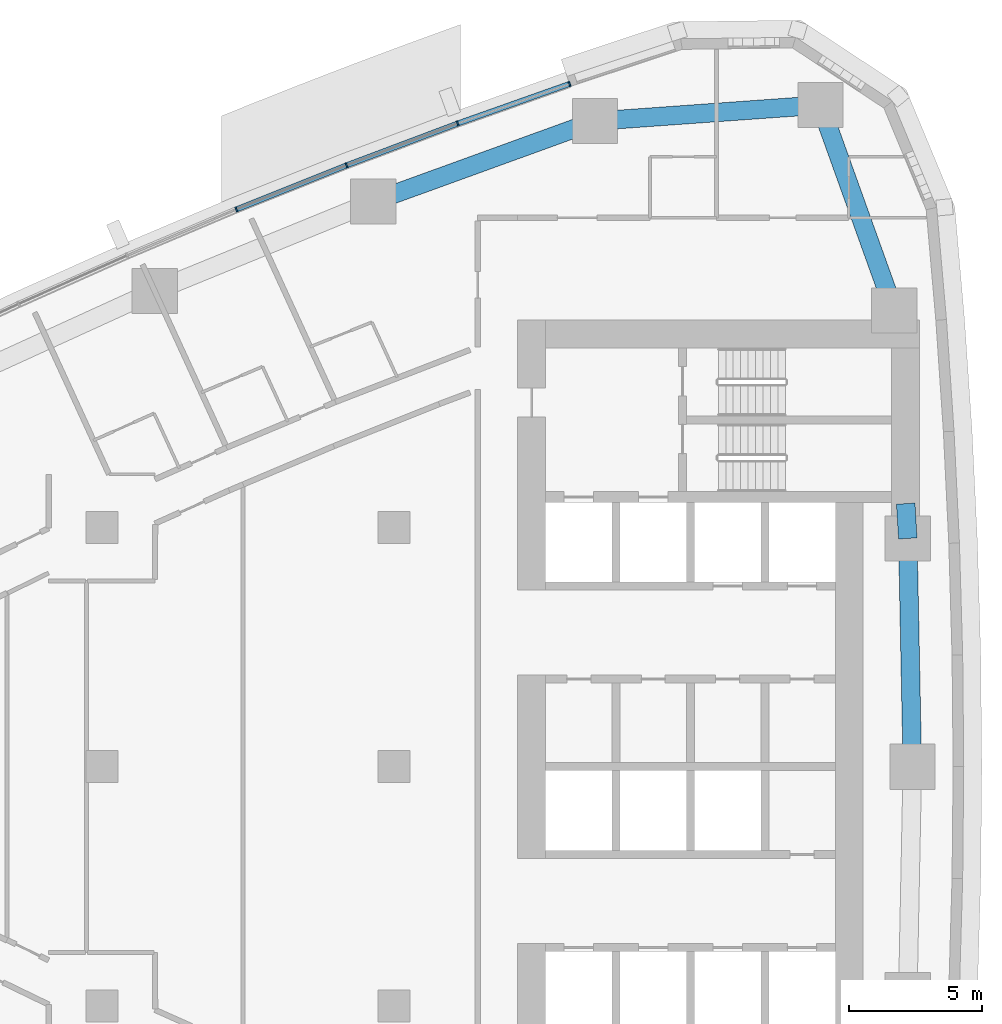
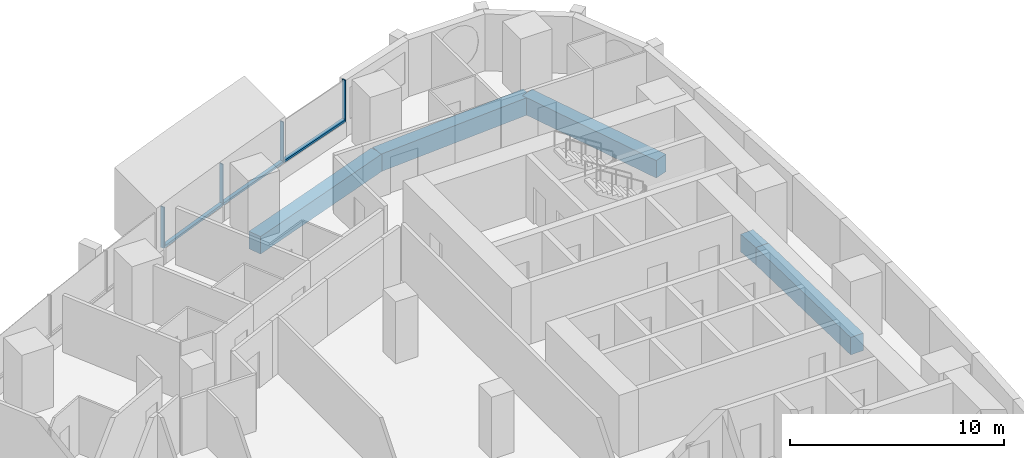
# One storey, part 6 of 17: 7 members, 5 beams, 2 elements without a shape of their own.
"""IFC4 building model written with IfcOpenShell, lengths in metres."""

from ifc_helpers import new_model, si_unit, direction, frame, origin, origin_2d, place, context, subcontext, project, spatial, rectangle, extrude, material, layer, layer_set, material_profile, profile_set, type_object, element, aggregate, save


model = new_model("IFC4")

# Units and contexts
model_context = context("Model", 3, precision=1e-05, world=origin(), true_north=direction((0.0, 1.0)))
body_context = subcontext(model_context, "Body", "Model", "MODEL_VIEW")
ifc_project = project(units=[si_unit("LENGTHUNIT", "METRE"), si_unit("AREAUNIT", "SQUARE_METRE"), si_unit("VOLUMEUNIT", "CUBIC_METRE"), si_unit("PLANEANGLEUNIT", "RADIAN"), si_unit("MASSUNIT", "GRAM", prefix="KILO")], contexts=[model_context])

# Site, building, storey
site_placement = place(None, origin())
site = spatial("IfcSite", under=ifc_project, at=site_placement, CompositionType="ELEMENT")
building_placement = place(site_placement, origin())
building = spatial("IfcBuilding", under=site, at=building_placement, Name="Ostrand Prow Hotel Tower", CompositionType="ELEMENT")
storey_placement = place(building_placement, frame((0.0, 0.0, 84.89990234375)))
storey = spatial("IfcBuildingStorey", under=building, at=storey_placement, Name="L19", CompositionType="ELEMENT", Elevation=84.89990234375)

# Beams
ifc_material_1 = material(Name="Concrete C80/95", Category="concrete")
ifc_material_profile_1 = material_profile(ifc_material_1, rectangle(XDim=0.699951171875, YDim=1.0, at=origin_2d()), Name="RC 700x1000")
ifc_profile_set_1 = profile_set([ifc_material_profile_1], Name="Concrete C80/95")
beam_type = type_object("IfcBeamType", Name="Edge beam 700x1000 C80/95", PredefinedType="SPANDREL", material=ifc_profile_set_1)
beam_1_placement = place(storey_placement, frame((64.5, 0.0, -0.7998046875), z_axis=(-0.019922705812, 0.9998015232, 0.0), x_axis=(-0.9998015232, -0.019922705812, 0.0)))
element("IfcBeam", 1, at=beam_1_placement, inside=storey, type_object=beam_type, Name="Edge beam B3-B4", PredefinedType="SPANDREL", context=body_context, shape_type="SweptSolid", body=[
    extrude(rectangle(XDim=0.699951171875, YDim=1.0, at=origin_2d()), origin(), (0.0, 0.0, 1.0), 8.59033203125),
])
beam_2_placement = place(storey_placement, frame((64.328857421875, 8.588623046875, -0.7998046875), z_axis=(-0.059658953766, 0.998218818314, 0.0), x_axis=(-0.998218818314, -0.059658953766, 0.0)))
element("IfcBeam", 2, at=beam_2_placement, inside=storey, type_object=beam_type, Name="Edge beam B4-B5", PredefinedType="SPANDREL", context=body_context, shape_type="SweptSolid", body=[
    extrude(rectangle(XDim=0.699951171875, YDim=1.0, at=origin_2d()), origin(), (0.0, 0.0, 1.0), 1.313720703125),
])
beam_3_placement = place(storey_placement, frame((63.815673828125, 17.16357421875, -0.7998046875), z_axis=(-0.337815484063, 0.941212355809, 0.0), x_axis=(-0.941212355809, -0.337815484063, 0.0)))
element("IfcBeam", 3, at=beam_3_placement, inside=storey, type_object=beam_type, Name="Edge beam B5-NE", PredefinedType="SPANDREL", context=body_context, shape_type="SweptSolid", body=[
    extrude(rectangle(XDim=0.699951171875, YDim=1.0, at=origin_2d()), origin(), (0.0, 0.0, 1.0), 8.21630859375),
])
beam_4_placement = place(storey_placement, frame((61.0400390625, 24.89697265625, -0.7998046875), z_axis=(-0.99747195063, -0.071061295414, 0.0), x_axis=(0.071061295414, -0.99747195063, 0.0)))
element("IfcBeam", 4, at=beam_4_placement, inside=storey, type_object=beam_type, Name="Edge beam NE-N1", PredefinedType="SPANDREL", context=body_context, shape_type="SweptSolid", body=[
    extrude(rectangle(XDim=0.699951171875, YDim=1.0, at=origin_2d()), origin(), (0.0, 0.0, 1.0), 8.499755859375),
])
beam_5_placement = place(storey_placement, frame((52.561767578125, 24.29296875, -0.7998046875), z_axis=(-0.940062739321, -0.341001533927, 0.0), x_axis=(0.341001533927, -0.940062739321, 0.0)))
element("IfcBeam", 5, at=beam_5_placement, inside=storey, type_object=beam_type, Name="Edge beam N1-N2", PredefinedType="SPANDREL", context=body_context, shape_type="SweptSolid", body=[
    extrude(rectangle(XDim=0.699951171875, YDim=1.0, at=origin_2d()), origin(), (0.0, 0.0, 1.0), 8.883544921875),
])

# Curtain wall, members
ifc_material_2 = material(Name="Insulated glass in bronze anodised frame", Category="glass")
ifc_layer = layer(ifc_material_2, 0.199951171875)
ifc_layer_set = layer_set([ifc_layer], Name="Insulated glass in bronze anodised frame")
curtain_wall_type = type_object("IfcCurtainWallType", Name="Strip curtain wall, fritted glass over bronze spandrel", PredefinedType="NOTDEFINED", material=ifc_layer_set)
curtain_wall_1_placement = place(storey_placement, origin())
curtain_wall_1 = element("IfcCurtainWall", 6, at=curtain_wall_1_placement, inside=storey, type_object=curtain_wall_type, Name="CW1 run CWN1", PredefinedType="NOTDEFINED")
ifc_material_3 = material(Name="Bronze anodised aluminium", Category="aluminium")
ifc_material_profile_2 = material_profile(ifc_material_3, rectangle(XDim=0.199951171875, YDim=0.06005859375, at=origin_2d()), Name="Mullion 60x200 bronze anodised aluminium")
ifc_profile_set_2 = profile_set([ifc_material_profile_2], Name="Bronze anodised aluminium")
member_type_1 = type_object("IfcMemberType", Name="Mullion 60x200 bronze anodised aluminium", PredefinedType="MULLION", material=ifc_profile_set_2)
member_1_placement = place(storey_placement, frame((51.601318359375, 25.692138671875, 0.900146484375), z_axis=(0.0, 0.0, 1.0), x_axis=(0.333495894542, -0.942751551748, 0.0)))
member_1 = element("IfcMember", 7, at=member_1_placement, type_object=member_type_1, Name="CW1 mullion 1", PredefinedType="MULLION", context=body_context, shape_type="SweptSolid", body=[
    extrude(rectangle(XDim=0.199951171875, YDim=0.06005859375, at=origin_2d()), origin(), (0.0, 0.0, 1.0), 2.349853515625),
])
member_2_placement = place(storey_placement, frame((47.390869140625, 24.202880859375, 0.900146484375), z_axis=(0.0, 0.0, 1.0), x_axis=(0.35230885193, -0.935883792387, 0.0)))
member_2 = element("IfcMember", 8, at=member_2_placement, type_object=member_type_1, Name="CW1 mullion 2", PredefinedType="MULLION", context=body_context, shape_type="SweptSolid", body=[
    extrude(rectangle(XDim=0.199951171875, YDim=0.06005859375, at=origin_2d()), origin(), (0.0, 0.0, 1.0), 2.349853515625),
])
member_3_placement = place(storey_placement, frame((43.211181640625, 22.62939453125, 0.900146484375), z_axis=(0.0, 0.0, 1.0), x_axis=(0.35230885193, -0.935883792387, 0.0)))
member_3 = element("IfcMember", 9, at=member_3_placement, type_object=member_type_1, Name="CW1 mullion 3", PredefinedType="MULLION", context=body_context, shape_type="SweptSolid", body=[
    extrude(rectangle(XDim=0.199951171875, YDim=0.06005859375, at=origin_2d()), origin(), (0.0, 0.0, 1.0), 2.349853515625),
])

# Curtain wall, member
curtain_wall_2_placement = place(storey_placement, origin())
curtain_wall_2 = element("IfcCurtainWall", 10, at=curtain_wall_2_placement, inside=storey, type_object=curtain_wall_type, Name="CW1 run CWN2", PredefinedType="NOTDEFINED")
member_4_placement = place(storey_placement, frame((39.06396484375, 20.97265625, 0.900146484375), z_axis=(0.0, 0.0, 1.0), x_axis=(0.389506566255, -0.921023688536, 0.0)))
member_4 = element("IfcMember", 11, at=member_4_placement, type_object=member_type_1, Name="CW1 mullion 2", PredefinedType="MULLION", context=body_context, shape_type="SweptSolid", body=[
    extrude(rectangle(XDim=0.199951171875, YDim=0.06005859375, at=origin_2d()), origin(), (0.0, 0.0, 1.0), 2.349853515625),
])

# Member
ifc_material_4 = material(Name="Bronze anodised aluminium", Category="aluminium")
ifc_material_profile_3 = material_profile(ifc_material_4, rectangle(XDim=0.199951171875, YDim=0.1201171875, at=origin_2d()), Name="Transom 120x200 bronze anodised aluminium")
ifc_profile_set_3 = profile_set([ifc_material_profile_3], Name="Bronze anodised aluminium")
member_type_2 = type_object("IfcMemberType", Name="Transom 120x200 bronze anodised aluminium", PredefinedType="USERDEFINED", material=ifc_profile_set_3)
member_5_placement = place(storey_placement, frame((51.572998046875, 25.68212890625, 0.960205078125), z_axis=(-0.942763014139, -0.333463490013, 0.0), x_axis=(0.333463490013, -0.942763014139, 0.0)))
member_5 = element("IfcMember", 12, at=member_5_placement, type_object=member_type_2, Name="CW1 transom 1.1", ObjectType="TRANSOM", PredefinedType="USERDEFINED", context=body_context, shape_type="SweptSolid", body=[
    extrude(rectangle(XDim=0.199951171875, YDim=0.1201171875, at=origin_2d()), origin(), (0.0, 0.0, 1.0), 4.406005859375),
])

member_6_placement = place(storey_placement, frame((47.36279296875, 24.1923828125, 0.960205078125), z_axis=(-0.935868398429, -0.352349742191, 0.0), x_axis=(0.352349742191, -0.935868398429, 0.0)))
member_6 = element("IfcMember", 13, at=member_6_placement, type_object=member_type_2, Name="CW1 transom 2.1", ObjectType="TRANSOM", PredefinedType="USERDEFINED", context=body_context, shape_type="SweptSolid", body=[
    extrude(rectangle(XDim=0.199951171875, YDim=0.1201171875, at=origin_2d()), origin(), (0.0, 0.0, 1.0), 4.406005859375),
])

aggregate(curtain_wall_1, [member_1, member_2, member_3, member_5, member_6])

member_7_placement = place(storey_placement, frame((43.183349609375, 22.618408203125, 0.960205078125), z_axis=(-0.928621833209, -0.371027614724, 0.0), x_axis=(0.371027614724, -0.928621833209, 0.0)))
member_7 = element("IfcMember", 14, at=member_7_placement, type_object=member_type_2, Name="CW1 transom 1.1", ObjectType="TRANSOM", PredefinedType="USERDEFINED", context=body_context, shape_type="SweptSolid", body=[
    extrude(rectangle(XDim=0.199951171875, YDim=0.1201171875, at=origin_2d()), origin(), (0.0, 0.0, 1.0), 4.406005859375),
])

aggregate(curtain_wall_2, [member_4, member_7])

save(model, "model.ifc")
